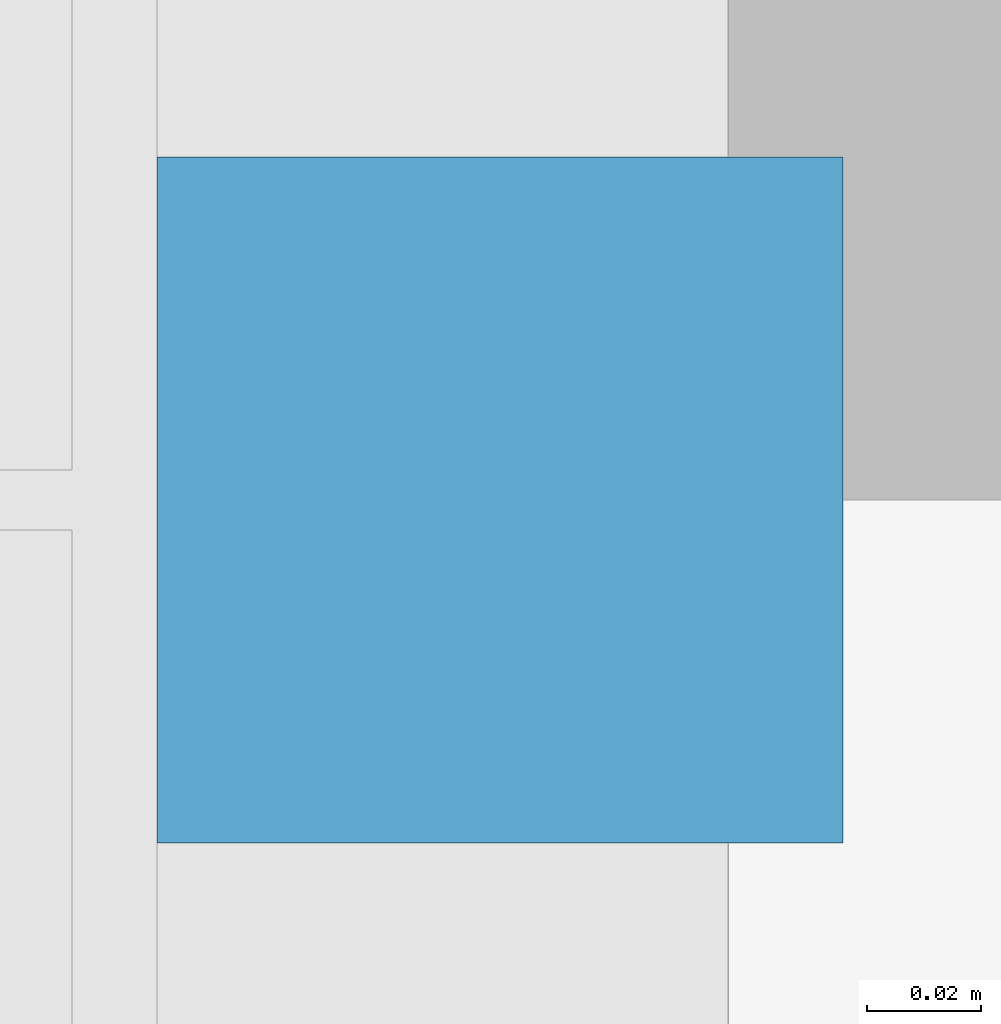
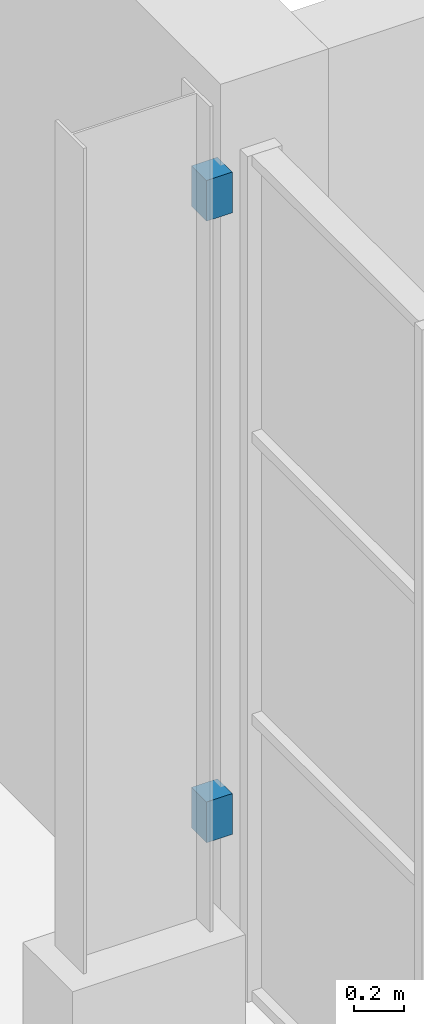
# One storey, part 125 of 168: 2 discrete accessories.
"""IFC4 building model written with IfcOpenShell, lengths in metres."""

from ifc_helpers import new_model, si_unit, direction, frame, origin, origin_2d, place, context, subcontext, project, spatial, rectangle, extrude, material, type_object, element, save


model = new_model("IFC4")

# Units and contexts
model_context = context("Model", 3, precision=1e-05, world=origin(), true_north=direction((0.0, 1.0)))
body_context = subcontext(model_context, "Body", "Model", "MODEL_VIEW")
ifc_project = project(units=[si_unit("LENGTHUNIT", "METRE"), si_unit("AREAUNIT", "SQUARE_METRE"), si_unit("VOLUMEUNIT", "CUBIC_METRE"), si_unit("PLANEANGLEUNIT", "RADIAN"), si_unit("MASSUNIT", "GRAM", prefix="KILO")], contexts=[model_context])

# Site, building, storey
site_placement = place(None, origin())
site = spatial("IfcSite", under=ifc_project, at=site_placement, CompositionType="ELEMENT")
building_placement = place(site_placement, origin())
building = spatial("IfcBuilding", under=site, at=building_placement, Name="Silverbay Arena", CompositionType="ELEMENT")
storey_placement = place(building_placement, frame((0.0, 0.0, 7.0)))
storey = spatial("IfcBuildingStorey", under=building, at=storey_placement, Name="L01", CompositionType="ELEMENT", Elevation=7.0)

# Discrete accessories
ifc_material = material(Name="Steel S355", Category="steel")
discrete_accessory_type = type_object("IfcDiscreteAccessoryType", Name="Steel bracket plate", PredefinedType="BRACKET", material=ifc_material)
for number, where, z_axis, x_axis, name in (
    (1, (26.4599609375, 126.0, 0.85009765625), (0.0, 0.0, 1.0), (1.0, 0.0, 0.0), "Fin bracket"),
    (2, (26.4599609375, 126.0, 3.89990234375), (0.0, 0.0, 1.0), (1.0, 0.0, 0.0), "Fin bracket"),
):
    element("IfcDiscreteAccessory", number, at=place(storey_placement, frame(where, z_axis=z_axis, x_axis=x_axis)), inside=storey, type_object=discrete_accessory_type, Name=name, PredefinedType="BRACKET", context=body_context, shape_type="SweptSolid", body=[
        extrude(rectangle(XDim=0.1201171875, YDim=0.1201171875, at=origin_2d()), origin(), (0.0, 0.0, 1.0), 0.199951171875),
    ])

save(model, "model.ifc")
